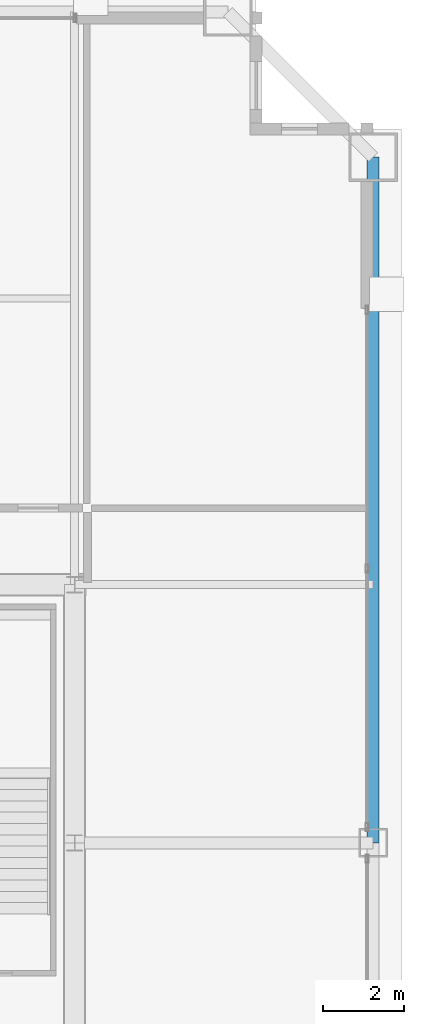
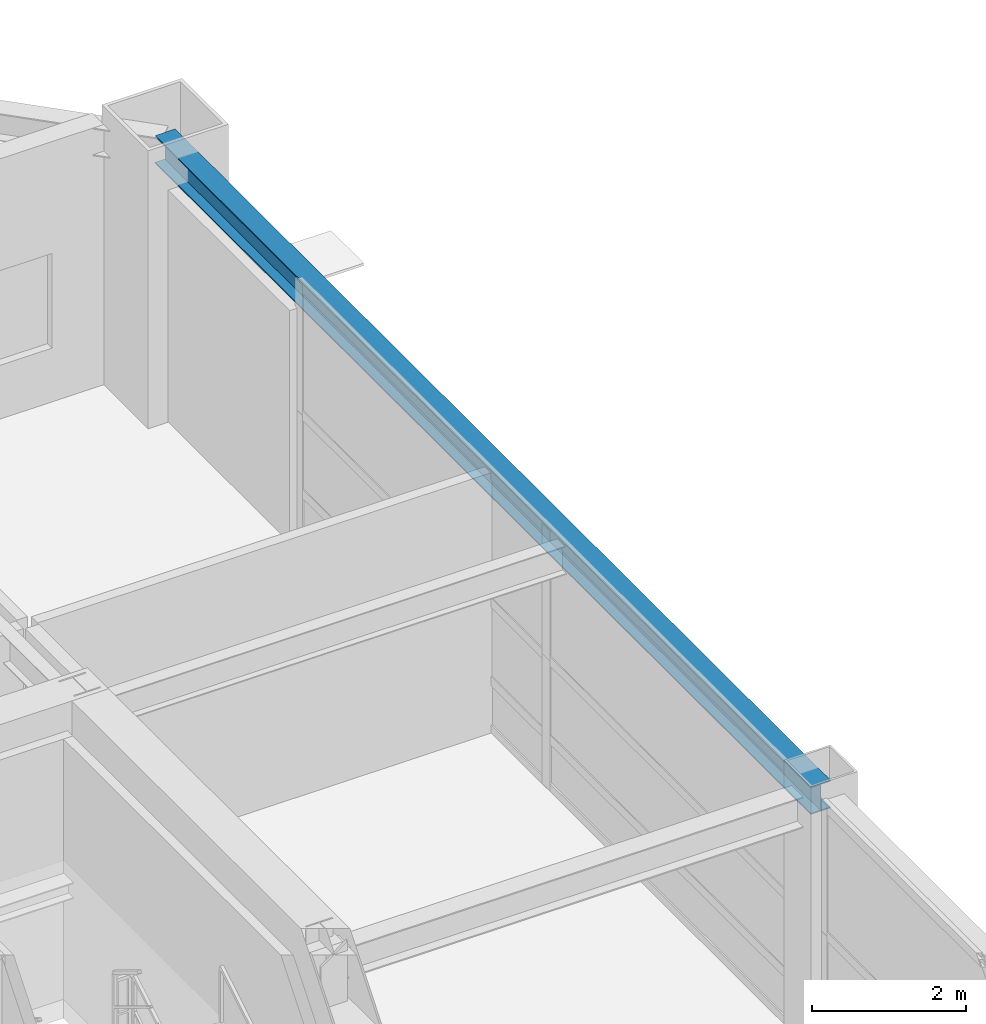
# One storey, part 15 of 26: 1 beam.
"""IFC4 building model written with IfcOpenShell, lengths in metres."""

from ifc_helpers import new_model, si_unit, direction, frame, origin, origin_2d, place, context, subcontext, project, spatial, i_section, extrude, source, transform, mapped, material, material_profile, profile_set, type_object, element, save


model = new_model("IFC4")

# Units and contexts
model_context = context("Model", 3, precision=1e-05, world=origin(), true_north=direction((0.0, 1.0)))
body_context = subcontext(model_context, "Body", "Model", "MODEL_VIEW")
ifc_project = project(units=[si_unit("LENGTHUNIT", "METRE"), si_unit("AREAUNIT", "SQUARE_METRE"), si_unit("VOLUMEUNIT", "CUBIC_METRE"), si_unit("PLANEANGLEUNIT", "RADIAN"), si_unit("MASSUNIT", "GRAM", prefix="KILO"), si_unit("THERMODYNAMICTEMPERATUREUNIT", "KELVIN"), si_unit("POWERUNIT", "WATT")], contexts=[model_context])

# Site, building, storey
site_placement = place(None, origin())
site = spatial("IfcSite", under=ifc_project, at=site_placement, CompositionType="ELEMENT")
building_placement = place(site_placement, origin())
building = spatial("IfcBuilding", under=site, at=building_placement, Name="Yuzanri Waterfront Tower", CompositionType="ELEMENT")
storey_placement = place(building_placement, frame((0.0, 0.0, 259.10009765625)))
storey = spatial("IfcBuildingStorey", under=building, at=storey_placement, Name="L69", CompositionType="ELEMENT", Elevation=259.10009765625)

# Beam
ifc_material = material(Name="Steel Q355B", Category="steel")
ifc_material_profile = material_profile(ifc_material, i_section(OverallWidth=0.300048828125, OverallDepth=0.43994140625, WebThickness=0.010986328125, FlangeThickness=0.01806640625, at=origin_2d()), Name="HM 440x300x11x18")
ifc_profile_set = profile_set([ifc_material_profile], Name="Steel Q355B")
beam_type = type_object("IfcBeamType", Name="Perimeter Spandrel Q355B HM 440x300", PredefinedType="SPANDREL", material=ifc_profile_set)
shared_shape = source(origin(), body_context, "Body", "SweptSolid", [
    extrude(i_section(OverallWidth=0.300048828125, OverallDepth=0.43994140625, WebThickness=0.010986328125, FlangeThickness=0.01806640625, at=origin_2d()), origin(), (0.0, 0.0, 1.0), 17.0),
])
beam_placement = place(storey_placement, frame((57.60009765625, 25.800048828125, 3.89990234375), z_axis=(0.0, 1.0, 0.0), x_axis=(-1.0, 0.0, 0.0)))
element("IfcBeam", 1, at=beam_placement, inside=storey, type_object=beam_type, Name="L69 Perimeter Spandrel E2-E3", PredefinedType="SPANDREL", context=body_context, shape_type="MappedRepresentation", body=[
    mapped(shared_shape, transform((0.0, 0.0, 0.0), scale=1.0)),
])

save(model, "model.ifc")
